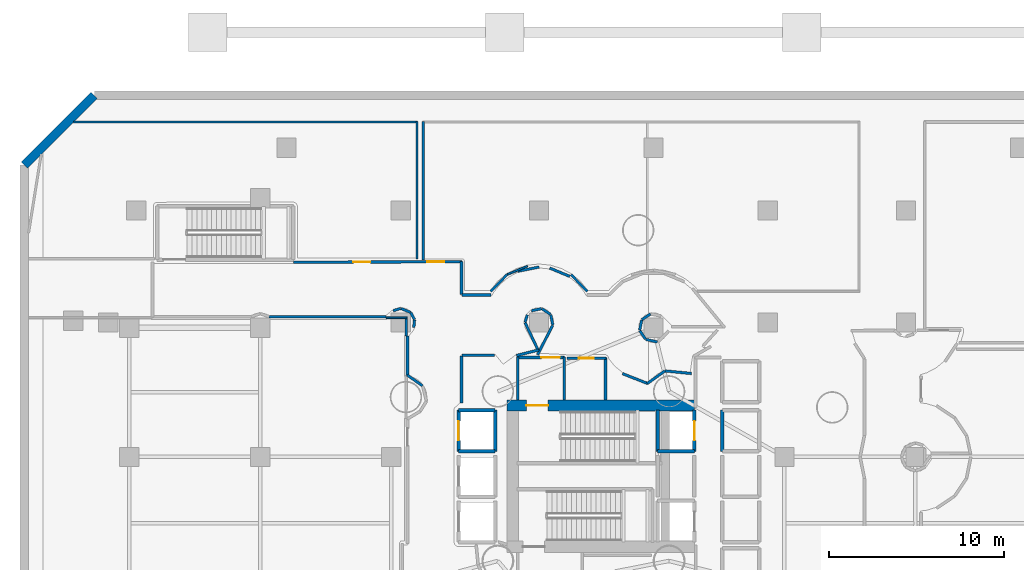
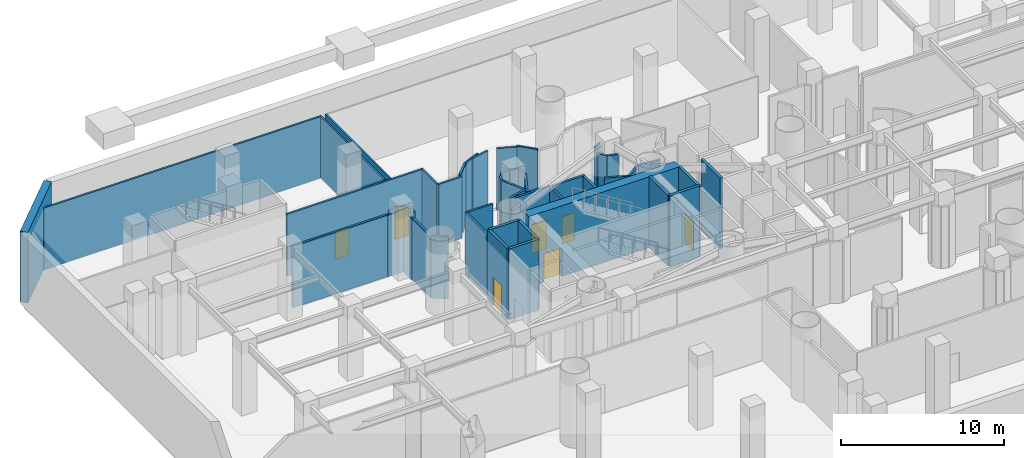
# One storey, part 5 of 11: 51 walls, 7 doors, 7 openings.
"""IFC4 building model written with IfcOpenShell, lengths in metres."""

from ifc_helpers import new_model, si_unit, direction, frame, frame_2d, origin, place, context, subcontext, project, spatial, rectangle, extrude, material, layer, layer_set, type_object, element, fill, save


model = new_model("IFC4")

# Units and contexts
model_context = context("Model", 3, precision=1e-05, world=origin(), true_north=direction((0.0, 1.0)))
body_context = subcontext(model_context, "Body", "Model", "MODEL_VIEW")
ifc_project = project(units=[si_unit("LENGTHUNIT", "METRE"), si_unit("AREAUNIT", "SQUARE_METRE"), si_unit("VOLUMEUNIT", "CUBIC_METRE"), si_unit("PLANEANGLEUNIT", "RADIAN"), si_unit("MASSUNIT", "GRAM", prefix="KILO")], contexts=[model_context])

# Site, building, storey
site_placement = place(None, origin())
site = spatial("IfcSite", under=ifc_project, at=site_placement, CompositionType="ELEMENT")
building_placement = place(site_placement, origin())
building = spatial("IfcBuilding", under=site, at=building_placement, Name="Qianvela Tower", CompositionType="ELEMENT")
storey_placement = place(building_placement, frame((0.0, 0.0, -5.60009765625)))
storey = spatial("IfcBuildingStorey", under=building, at=storey_placement, Name="B01", CompositionType="ELEMENT", Elevation=-5.60009765625)

# Wall, opening, door
ifc_material_1 = material(Name="Concrete C60", Category="concrete")
ifc_layer_1 = layer(ifc_material_1, 0.64990234375)
ifc_layer_set_1 = layer_set([ifc_layer_1], Name="Concrete C60")
wall_type_1 = type_object("IfcWallType", Name="WT-CORE-650", PredefinedType="SHEAR", material=ifc_layer_set_1)
wall_1_placement = place(storey_placement, frame((29.1298828125, 32.7451171875, 0.0), z_axis=(0.0, 0.0, 1.0), x_axis=(1.0, 0.0, 0.0)))
wall_1 = element("IfcWall", 1, at=wall_1_placement, inside=storey, type_object=wall_type_1, Name="B01 North Core Shear Wall", PredefinedType="SHEAR", context=body_context, shape_type="SweptSolid", body=[
    extrude(rectangle(XDim=10.72021484375, YDim=0.64990234375, at=frame_2d((5.360107421875, 0.0))), origin(), (0.0, 0.0, 1.0), 5.300048828125),
])
opening_1_placement = place(wall_1_placement, frame((1.094970703125, 0.0, 0.0)))
opening_1 = element("IfcOpeningElement", 2, at=opening_1_placement, cuts=wall_1, Name="Opening D-ST1", PredefinedType="OPENING", context=body_context, shape_type="SweptSolid", body=[
    extrude(rectangle(XDim=1.25, YDim=2.14990234375, at=frame_2d((0.625, 1.074951171875))), frame((0.0, 0.3349609375, 0.0), z_axis=(0.0, -1.0, 0.0), x_axis=(1.0, 0.0, 0.0)), (0.0, 0.0, 1.0), 0.669921875),
])
ifc_material_2 = material(Name="Galvanised Fire Steel Q355B", Category="steel")
door_type_1 = type_object("IfcDoorType", Name="DT-STAIR-FD90", OperationType="NOTDEFINED", PredefinedType="DOOR", material=ifc_material_2)
door_1_placement = place(opening_1_placement, origin())
door_1 = element("IfcDoor", 3, at=door_1_placement, inside=storey, type_object=door_type_1, Name="B01 Stair ST-1 Exit Door", OperationType="SINGLE_SWING_RIGHT", OverallHeight=2.14990234375, OverallWidth=1.25, PredefinedType="DOOR", context=body_context, shape_type="SweptSolid", body=[
    extrude(rectangle(XDim=1.25, YDim=2.14990234375, at=frame_2d((0.625, 1.074951171875))), frame((0.0, 0.02490234375, 0.0), z_axis=(0.0, -1.0, 0.0), x_axis=(1.0, 0.0, 0.0)), (0.0, 0.0, 1.0), 0.050048828125),
])
fill(opening_1, door_1)

# Wall
ifc_material_3 = material(Name="Fire-Rated Acoustic Gypsum Board")
ifc_layer_2 = layer(ifc_material_3, 0.14990234375)
ifc_layer_set_2 = layer_set([ifc_layer_2], Name="Fire-Rated Acoustic Gypsum Board")
wall_type_2 = type_object("IfcWallType", Name="WT-CORR-150", PredefinedType="PARTITIONING", material=ifc_layer_set_2)
wall_2_placement = place(storey_placement, frame((29.73095703125, 33.05810546875, 0.0), z_axis=(0.0, 0.0, 1.0), x_axis=(0.0, 1.0, 0.0)))
element("IfcWall", 4, at=wall_2_placement, inside=storey, type_object=wall_type_2, Name="B01 Partition 2", PredefinedType="PARTITIONING", context=body_context, shape_type="SweptSolid", body=[
    extrude(rectangle(XDim=2.4619140625, YDim=0.14990234375, at=frame_2d((1.23095703125, 0.0))), origin(), (0.0, 0.0, 1.0), 4.6201171875),
])

# Wall, opening, door
wall_3_placement = place(storey_placement, frame((29.699951171875, 35.489013671875, 0.0), z_axis=(0.0, 0.0, 1.0), x_axis=(1.0, 0.0, 0.0)))
wall_3 = element("IfcWall", 5, at=wall_3_placement, inside=storey, type_object=wall_type_2, Name="B01 Partition 3", PredefinedType="PARTITIONING", context=body_context, shape_type="SweptSolid", body=[
    extrude(rectangle(XDim=2.719970703125, YDim=0.14990234375, at=frame_2d((1.35986328125, 0.0))), origin(), (0.0, 0.0, 1.0), 4.6201171875),
])
opening_2_placement = place(wall_3_placement, frame((1.39501953125, 0.0, 0.0)))
opening_2 = element("IfcOpeningElement", 6, at=opening_2_placement, cuts=wall_3, Name="Opening D-PL1", PredefinedType="OPENING", context=body_context, shape_type="SweptSolid", body=[
    extrude(rectangle(XDim=1.050048828125, YDim=2.14990234375, at=frame_2d((0.52490234375, 1.074951171875))), frame((0.0, 0.0849609375, 0.0), z_axis=(0.0, -1.0, 0.0), x_axis=(1.0, 0.0, 0.0)), (0.0, 0.0, 1.0), 0.169921875),
])
ifc_material_4 = material(Name="Insulated Steel Fire Door Q355B", Category="steel")
door_type_2 = type_object("IfcDoorType", Name="DT-PLANT-FD90", OperationType="NOTDEFINED", PredefinedType="DOOR", material=ifc_material_4)
door_2_placement = place(opening_2_placement, origin())
door_2 = element("IfcDoor", 7, at=door_2_placement, inside=storey, type_object=door_type_2, Name="B01 Door B01 Firefighting Lobby North to B01 Plant and Bicycle Corridor", OperationType="SINGLE_SWING_RIGHT", OverallHeight=2.14990234375, OverallWidth=1.050048828125, PredefinedType="DOOR", context=body_context, shape_type="SweptSolid", body=[
    extrude(rectangle(XDim=1.050048828125, YDim=2.14990234375, at=frame_2d((0.52490234375, 1.074951171875))), frame((0.0, 0.02490234375, 0.0), z_axis=(0.0, -1.0, 0.0), x_axis=(1.0, 0.0, 0.0)), (0.0, 0.0, 1.0), 0.050048828125),
])
fill(opening_2, door_2)

# Wall
wall_4_placement = place(storey_placement, frame((32.388916015625, 35.52001953125, 0.0), z_axis=(0.0, 0.0, 1.0), x_axis=(0.0, -1.0, 0.0)))
element("IfcWall", 8, at=wall_4_placement, inside=storey, type_object=wall_type_2, Name="B01 Partition 4", PredefinedType="PARTITIONING", context=body_context, shape_type="SweptSolid", body=[
    extrude(rectangle(XDim=2.4619140625, YDim=0.14990234375, at=frame_2d((1.23095703125, 0.0))), origin(), (0.0, 0.0, 1.0), 4.6201171875),
])

# Wall, openings, doors
wall_5_placement = place(storey_placement, frame((16.89990234375, 40.947265625, 0.0), z_axis=(0.0, 0.0, 1.0), x_axis=(0.999997465101, 0.002251619764, 0.0)))
wall_5 = element("IfcWall", 9, at=wall_5_placement, inside=storey, type_object=wall_type_2, Name="B01 Partition 37 seg 2", PredefinedType="PARTITIONING", context=body_context, shape_type="SweptSolid", body=[
    extrude(rectangle(XDim=9.650146484375, YDim=0.14990234375, at=frame_2d((4.8251953125, 0.0))), origin(), (0.0, 0.0, 1.0), 4.6201171875),
])
opening_3_placement = place(wall_5_placement, frame((3.4267578125, 0.0, 0.0)))
opening_3 = element("IfcOpeningElement", 10, at=opening_3_placement, cuts=wall_5, Name="Opening D-RM1", PredefinedType="OPENING", context=body_context, shape_type="SweptSolid", body=[
    extrude(rectangle(XDim=0.97998046875, YDim=2.10009765625, at=frame_2d((0.489990234375, 1.050048828125))), frame((0.0, 0.0849609375, 0.0), z_axis=(0.0, -1.0, 0.0), x_axis=(1.0, 0.0, 0.0)), (0.0, 0.0, 1.0), 0.169921875),
])
opening_4_placement = place(wall_5_placement, frame((7.663818359375, 0.0, 0.0)))
opening_4 = element("IfcOpeningElement", 11, at=opening_4_placement, cuts=wall_5, Name="Opening D-RM1", PredefinedType="OPENING", context=body_context, shape_type="SweptSolid", body=[
    extrude(rectangle(XDim=0.97998046875, YDim=2.10009765625, at=frame_2d((0.489990234375, 1.050048828125))), frame((0.0, 0.0849609375, 0.0), z_axis=(0.0, -1.0, 0.0), x_axis=(1.0, 0.0, 0.0)), (0.0, 0.0, 1.0), 0.169921875),
])
ifc_material_5 = material(Name="Solid Core Acoustic Timber Fire Door", Category="wood")
door_type_3 = type_object("IfcDoorType", Name="DT-ROOM-FD60", OperationType="NOTDEFINED", PredefinedType="DOOR", material=ifc_material_5)
door_3_placement = place(opening_3_placement, origin())
door_3 = element("IfcDoor", 12, at=door_3_placement, inside=storey, type_object=door_type_3, Name="B01 Door B01 Student Electric Bicycle Hub North to B01 Plant and Bicycle Corridor", OperationType="SINGLE_SWING_RIGHT", OverallHeight=2.10009765625, OverallWidth=0.97998046875, PredefinedType="DOOR", context=body_context, shape_type="SweptSolid", body=[
    extrude(rectangle(XDim=0.97998046875, YDim=2.10009765625, at=frame_2d((0.489990234375, 1.050048828125))), frame((0.0, 0.02490234375, 0.0), z_axis=(0.0, -1.0, 0.0), x_axis=(1.0, 0.0, 0.0)), (0.0, 0.0, 1.0), 0.050048828125),
])
fill(opening_3, door_3)
door_4_placement = place(opening_4_placement, origin())
door_4 = element("IfcDoor", 13, at=door_4_placement, inside=storey, type_object=door_type_3, Name="B01 Door B01 Central Maintenance Workshop and Spares to B01 Plant and Bicycle Corridor", OperationType="SINGLE_SWING_LEFT", OverallHeight=2.10009765625, OverallWidth=0.97998046875, PredefinedType="DOOR", context=body_context, shape_type="SweptSolid", body=[
    extrude(rectangle(XDim=0.97998046875, YDim=2.10009765625, at=frame_2d((0.489990234375, 1.050048828125))), frame((0.0, 0.02490234375, 0.0), z_axis=(0.0, -1.0, 0.0), x_axis=(1.0, 0.0, 0.0)), (0.0, 0.0, 1.0), 0.050048828125),
])
fill(opening_4, door_4)

# Walls
wall_6_placement = place(storey_placement, frame((26.51904296875, 41.0, 0.0), z_axis=(0.0, 0.0, 1.0), x_axis=(0.0, -1.0, 0.0)))
element("IfcWall", 14, at=wall_6_placement, inside=storey, type_object=wall_type_2, Name="B01 Partition 38", PredefinedType="PARTITIONING", context=body_context, shape_type="SweptSolid", body=[
    extrude(rectangle(XDim=1.89990234375, YDim=0.14990234375, at=frame_2d((0.949951171875, 0.0))), origin(), (0.0, 0.0, 1.0), 4.6201171875),
])
wall_7_placement = place(storey_placement, frame((26.550048828125, 39.069091796875, 0.0), z_axis=(0.0, 0.0, 1.0), x_axis=(1.0, 0.0, 0.0)))
element("IfcWall", 15, at=wall_7_placement, inside=storey, type_object=wall_type_2, Name="B01 Partition 39", PredefinedType="PARTITIONING", context=body_context, shape_type="SweptSolid", body=[
    extrude(rectangle(XDim=1.649658203125, YDim=0.14990234375, at=frame_2d((0.82470703125, 0.0))), origin(), (0.0, 0.0, 1.0), 4.6201171875),
])
for number, where, z_axis, x_axis, name in (
    (16, (29.73681640625, 40.426025390625, 0.0), (0.0, 0.0, 1.0), (0.980775717779, 0.195138390419, 0.0), "B01 Partition 41"),
    (17, (31.56787109375, 40.60986328125, 0.0), (0.0, 0.0, 1.0), (0.923890529664, -0.38265688181, 0.0), "B01 Partition 42"),
):
    element("IfcWall", number, at=place(storey_placement, frame(where, z_axis=z_axis, x_axis=x_axis)), inside=storey, type_object=wall_type_2, Name=name, PredefinedType="PARTITIONING", context=body_context, shape_type="SweptSolid", body=[
        extrude(rectangle(XDim=1.24853515625, YDim=0.14990234375, at=frame_2d((0.624267578125, 0.0))), origin(), (0.0, 0.0, 1.0), 4.6201171875),
    ])
wall_8_placement = place(storey_placement, frame((37.33251953125, 37.98095703125, 0.0), z_axis=(0.0, 0.0, 1.0), x_axis=(-0.831476219755, -0.555560344141, 0.0)))
element("IfcWall", 18, at=wall_8_placement, inside=storey, type_object=wall_type_2, Name="B01 Partition 53", PredefinedType="PARTITIONING", context=body_context, shape_type="SweptSolid", body=[
    extrude(rectangle(XDim=0.58935546875, YDim=0.14990234375, at=frame_2d((0.294677734375, 0.0))), origin(), (0.0, 0.0, 1.0), 4.6201171875),
])
wall_9_placement = place(storey_placement, frame((36.829345703125, 37.6337890625, 0.0), z_axis=(0.0, 0.0, 1.0), x_axis=(-0.195159844715, -0.980771448917, 0.0)))
element("IfcWall", 19, at=wall_9_placement, inside=storey, type_object=wall_type_2, Name="B01 Partition 54", PredefinedType="PARTITIONING", context=body_context, shape_type="SweptSolid", body=[
    extrude(rectangle(XDim=0.589111328125, YDim=0.14990234375, at=frame_2d((0.29443359375, 0.0))), origin(), (0.0, 0.0, 1.0), 4.6201171875),
])
wall_10_placement = place(storey_placement, frame((36.718994140625, 37.03271484375, 0.0), z_axis=(0.0, 0.0, 1.0), x_axis=(0.555369021078, -0.831604022613, 0.0)))
element("IfcWall", 20, at=wall_10_placement, inside=storey, type_object=wall_type_2, Name="B01 Partition 55", PredefinedType="PARTITIONING", context=body_context, shape_type="SweptSolid", body=[
    extrude(rectangle(XDim=0.589599609375, YDim=0.14990234375, at=frame_2d((0.294921875, 0.0))), origin(), (0.0, 0.0, 1.0), 4.6201171875),
])
wall_11_placement = place(storey_placement, frame((37.065185546875, 36.529541015625, 0.0), z_axis=(0.0, 0.0, 1.0), x_axis=(0.974571578147, -0.224076413457, 0.0)))
element("IfcWall", 21, at=wall_11_placement, inside=storey, type_object=wall_type_2, Name="B01 Partition 56", PredefinedType="PARTITIONING", context=body_context, shape_type="SweptSolid", body=[
    extrude(rectangle(XDim=0.68310546875, YDim=0.14990234375, at=frame_2d((0.341552734375, 0.0))), origin(), (0.0, 0.0, 1.0), 4.6201171875),
])
wall_12_placement = place(storey_placement, frame((39.67578125, 34.575439453125, 0.0), z_axis=(0.0, 0.0, 1.0), x_axis=(-0.995186799139, 0.097996095944, 0.0)))
element("IfcWall", 22, at=wall_12_placement, inside=storey, type_object=wall_type_2, Name="B01 Partition 62", PredefinedType="PARTITIONING", context=body_context, shape_type="SweptSolid", body=[
    extrude(rectangle(XDim=1.50732421875, YDim=0.14990234375, at=frame_2d((0.753662109375, 0.0))), origin(), (0.0, 0.0, 1.0), 4.6201171875),
])
wall_13_placement = place(storey_placement, frame((38.15478515625, 34.7177734375, 0.0), z_axis=(0.0, 0.0, 1.0), x_axis=(-0.815749774427, -0.578404966717, 0.0)))
element("IfcWall", 23, at=wall_13_placement, inside=storey, type_object=wall_type_2, Name="B01 Partition 63", PredefinedType="PARTITIONING", context=body_context, shape_type="SweptSolid", body=[
    extrude(rectangle(XDim=1.240478515625, YDim=0.14990234375, at=frame_2d((0.6201171875, 0.0))), origin(), (0.0, 0.0, 1.0), 4.6201171875),
])
wall_14_placement = place(storey_placement, frame((37.172119140625, 34.00390625, 0.0), z_axis=(0.0, 0.0, 1.0), x_axis=(-0.930972145639, 0.36509021357, 0.0)))
element("IfcWall", 24, at=wall_14_placement, inside=storey, type_object=wall_type_2, Name="B01 Partition 64", PredefinedType="PARTITIONING", context=body_context, shape_type="SweptSolid", body=[
    extrude(rectangle(XDim=1.54541015625, YDim=0.14990234375, at=frame_2d((0.772705078125, 0.0))), origin(), (0.0, 0.0, 1.0), 4.6201171875),
])
wall_15_placement = place(storey_placement, frame((30.8681640625, 35.6455078125, 0.0), z_axis=(0.0, 0.0, 1.0), x_axis=(0.457713605207, 0.889099688229, 0.0)))
element("IfcWall", 25, at=wall_15_placement, inside=storey, type_object=wall_type_2, Name="B01 Partition 68", PredefinedType="PARTITIONING", context=body_context, shape_type="SweptSolid", body=[
    extrude(rectangle(XDim=1.901123046875, YDim=0.14990234375, at=frame_2d((0.95068359375, 0.0))), origin(), (0.0, 0.0, 1.0), 4.6201171875),
])
for number, where, z_axis, x_axis, name in (
    (26, (31.740966796875, 37.355712890625, 0.0), (0.0, 0.0, 1.0), (-0.195080566316, 0.980787220882, 0.0), "B01 Partition 69"),
    (27, (31.61279296875, 37.95361328125, 0.0), (0.0, 0.0, 1.0), (-0.831476219755, 0.555560344141, 0.0), "B01 Partition 70"),
    (28, (31.099609375, 38.28564453125, 0.0), (0.0, 0.0, 1.0), (-0.980787220882, -0.195080566316, 0.0), "B01 Partition 71"),
):
    element("IfcWall", number, at=place(storey_placement, frame(where, z_axis=z_axis, x_axis=x_axis)), inside=storey, type_object=wall_type_2, Name=name, PredefinedType="PARTITIONING", context=body_context, shape_type="SweptSolid", body=[
        extrude(rectangle(XDim=0.58935546875, YDim=0.14990234375, at=frame_2d((0.294677734375, 0.0))), origin(), (0.0, 0.0, 1.0), 4.6201171875),
    ])
wall_16_placement = place(storey_placement, frame((30.285400390625, 37.936767578125, 0.0), z_axis=(0.0, 0.0, 1.0), x_axis=(-0.290052876583, -0.957010621041, 0.0)))
element("IfcWall", 29, at=wall_16_placement, inside=storey, type_object=wall_type_2, Name="B01 Partition 72", PredefinedType="PARTITIONING", context=body_context, shape_type="SweptSolid", body=[
    extrude(rectangle(XDim=0.447021484375, YDim=0.14990234375, at=frame_2d((0.2236328125, 0.0))), origin(), (0.0, 0.0, 1.0), 4.6201171875),
])
wall_17_placement = place(storey_placement, frame((30.157470703125, 37.48681640625, 0.0), z_axis=(0.0, 0.0, 1.0), x_axis=(0.427353044203, -0.904084827663, 0.0)))
element("IfcWall", 30, at=wall_17_placement, inside=storey, type_object=wall_type_2, Name="B01 Partition 73", PredefinedType="PARTITIONING", context=body_context, shape_type="SweptSolid", body=[
    extrude(rectangle(XDim=1.77490234375, YDim=0.14990234375, at=frame_2d((0.887451171875, 0.0))), origin(), (0.0, 0.0, 1.0), 4.6201171875),
])
wall_18_placement = place(storey_placement, frame((30.9365234375, 35.925537109375, 0.0), z_axis=(0.0, 0.0, 1.0), x_axis=(-0.969933389944, -0.243370538628, 0.0)))
element("IfcWall", 31, at=wall_18_placement, inside=storey, type_object=wall_type_2, Name="B01 Partition 74", PredefinedType="PARTITIONING", context=body_context, shape_type="SweptSolid", body=[
    extrude(rectangle(XDim=1.30712890625, YDim=0.14990234375, at=frame_2d((0.653564453125, 0.0))), origin(), (0.0, 0.0, 1.0), 4.6201171875),
])
wall_19_placement = place(storey_placement, frame((28.411376953125, 35.611083984375, 0.0), z_axis=(0.0, 0.0, 1.0), x_axis=(-1.0, 0.0, 0.0)))
element("IfcWall", 32, at=wall_19_placement, inside=storey, type_object=wall_type_2, Name="B01 Partition 77", PredefinedType="PARTITIONING", context=body_context, shape_type="SweptSolid", body=[
    extrude(rectangle(XDim=1.861328125, YDim=0.14990234375, at=frame_2d((0.9306640625, 0.0))), origin(), (0.0, 0.0, 1.0), 4.6201171875),
])
wall_20_placement = place(storey_placement, frame((26.51904296875, 35.580078125, 0.0), z_axis=(0.0, 0.0, 1.0), x_axis=(0.0, -1.0, 0.0)))
element("IfcWall", 33, at=wall_20_placement, inside=storey, type_object=wall_type_2, Name="B01 Partition 78", PredefinedType="PARTITIONING", context=body_context, shape_type="SweptSolid", body=[
    extrude(rectangle(XDim=2.682861328125, YDim=0.14990234375, at=frame_2d((1.34130859375, 0.0))), origin(), (0.0, 0.0, 1.0), 4.6201171875),
])
wall_21_placement = place(storey_placement, frame((24.287109375, 33.87548828125, 0.0), z_axis=(0.0, 0.0, 1.0), x_axis=(-0.819199496394, 0.573508661755, 0.0)))
element("IfcWall", 34, at=wall_21_placement, inside=storey, type_object=wall_type_2, Name="B01 Partition 176", PredefinedType="PARTITIONING", context=body_context, shape_type="SweptSolid", body=[
    extrude(rectangle(XDim=1.061279296875, YDim=0.14990234375, at=frame_2d((0.53076171875, 0.0))), origin(), (0.0, 0.0, 1.0), 4.6201171875),
])
wall_22_placement = place(storey_placement, frame((23.430908203125, 34.458740234375, 0.0), z_axis=(0.0, 0.0, 1.0), x_axis=(0.0, 1.0, 0.0)))
element("IfcWall", 35, at=wall_22_placement, inside=storey, type_object=wall_type_2, Name="B01 Partition 177", PredefinedType="PARTITIONING", context=body_context, shape_type="SweptSolid", body=[
    extrude(rectangle(XDim=2.266357421875, YDim=0.14990234375, at=frame_2d((1.13330078125, 0.0))), origin(), (0.0, 0.0, 1.0), 4.6201171875),
])
for number, where, z_axis, x_axis, name in (
    (36, (23.786865234375, 37.202392578125, 0.0), (0.0, 0.0, 1.0), (0.098313930367, 0.995155450719, 0.0), "B01 Partition 178"),
    (37, (23.8271484375, 37.664794921875, 0.0), (0.0, 0.0, 1.0), (-0.471296709458, 0.881974722798, 0.0), "B01 Partition 179"),
):
    element("IfcWall", number, at=place(storey_placement, frame(where, z_axis=z_axis, x_axis=x_axis)), inside=storey, type_object=wall_type_2, Name=name, PredefinedType="PARTITIONING", context=body_context, shape_type="SweptSolid", body=[
        extrude(rectangle(XDim=0.447021484375, YDim=0.14990234375, at=frame_2d((0.2236328125, 0.0))), origin(), (0.0, 0.0, 1.0), 4.6201171875),
    ])
wall_23_placement = place(storey_placement, frame((23.600830078125, 38.072998046875, 0.0), z_axis=(0.0, 0.0, 1.0), x_axis=(-0.923835035561, 0.382790839847, 0.0)))
element("IfcWall", 38, at=wall_23_placement, inside=storey, type_object=wall_type_2, Name="B01 Partition 180", PredefinedType="PARTITIONING", context=body_context, shape_type="SweptSolid", body=[
    extrude(rectangle(XDim=0.58935546875, YDim=0.14990234375, at=frame_2d((0.294677734375, 0.0))), origin(), (0.0, 0.0, 1.0), 4.6201171875),
])
wall_24_placement = place(storey_placement, frame((23.03564453125, 38.2998046875, 0.0), z_axis=(0.0, 0.0, 1.0), x_axis=(-0.956858887343, -0.290553041134, 0.0)))
element("IfcWall", 39, at=wall_24_placement, inside=storey, type_object=wall_type_2, Name="B01 Partition 181", PredefinedType="PARTITIONING", context=body_context, shape_type="SweptSolid", body=[
    extrude(rectangle(XDim=0.447021484375, YDim=0.14990234375, at=frame_2d((0.2236328125, 0.0))), origin(), (0.0, 0.0, 1.0), 4.6201171875),
])
wall_25_placement = place(storey_placement, frame((22.2021484375, 37.8310546875, 0.0), z_axis=(0.0, 0.0, 1.0), x_axis=(-1.0, 0.0, 0.0)))
element("IfcWall", 40, at=wall_25_placement, inside=storey, type_object=wall_type_2, Name="B01 Partition 182", PredefinedType="PARTITIONING", context=body_context, shape_type="SweptSolid", body=[
    extrude(rectangle(XDim=6.698974609375, YDim=0.14990234375, at=frame_2d((3.349609375, 0.0))), origin(), (0.0, 0.0, 1.0), 4.6201171875),
])
ifc_material_6 = material(Name="Lightweight Gypsum Room Partition")
ifc_layer_3 = layer(ifc_material_6, 0.10498046875)
ifc_layer_set_3 = layer_set([ifc_layer_3], Name="Lightweight Gypsum Room Partition")
wall_type_3 = type_object("IfcWallType", Name="WT-PART-105", PredefinedType="PARTITIONING", material=ifc_layer_set_3)
wall_26_placement = place(storey_placement, frame((22.2021484375, 37.76904296875, 0.0), z_axis=(0.0, 0.0, 1.0), x_axis=(1.0, 0.0, 0.0)))
element("IfcWall", 41, at=wall_26_placement, inside=storey, type_object=wall_type_3, Name="B01 Partition 206 seg 3", PredefinedType="PARTITIONING", context=body_context, shape_type="SweptSolid", body=[
    extrude(rectangle(XDim=1.19775390625, YDim=0.10498046875, at=frame_2d((0.598876953125, 0.0))), origin(), (0.0, 0.0, 1.0), 4.6201171875),
])
wall_27_placement = place(storey_placement, frame((30.30126953125, 40.7265625, 0.0), z_axis=(0.0, 0.0, 1.0), x_axis=(-0.923825639064, -0.382813516753, 0.0)))
element("IfcWall", 42, at=wall_27_placement, inside=storey, type_object=wall_type_3, Name="B01 Partition 278", PredefinedType="PARTITIONING", context=body_context, shape_type="SweptSolid", body=[
    extrude(rectangle(XDim=1.2607421875, YDim=0.10498046875, at=frame_2d((0.63037109375, 0.0))), origin(), (0.0, 0.0, 1.0), 4.6201171875),
])
ifc_material_7 = material(Name="Insulated Gypsum Stud Partition")
ifc_layer_4 = layer(ifc_material_7, 0.1201171875)
ifc_layer_set_4 = layer_set([ifc_layer_4], Name="Insulated Gypsum Stud Partition")
wall_type_4 = type_object("IfcWallType", Name="WT-PART-120", PredefinedType="PARTITIONING", material=ifc_layer_set_4)
wall_28_placement = place(storey_placement, frame((23.968994140625, 49.0, 0.0), z_axis=(0.0, 0.0, 1.0), x_axis=(0.0, -1.0, 0.0)))
element("IfcWall", 43, at=wall_28_placement, inside=storey, type_object=wall_type_4, Name="B01 Partition 193", PredefinedType="PARTITIONING", context=body_context, shape_type="SweptSolid", body=[
    extrude(rectangle(XDim=7.8798828125, YDim=0.1201171875, at=frame_2d((3.93994140625, 0.0))), origin(), (0.0, 0.0, 1.0), 4.6201171875),
])
wall_29_placement = place(storey_placement, frame((24.3310546875, 41.06201171875, 0.0), z_axis=(0.0, 0.0, 1.0), x_axis=(0.0, 1.0, 0.0)))
element("IfcWall", 44, at=wall_29_placement, inside=storey, type_object=wall_type_4, Name="B01 Partition 283", PredefinedType="PARTITIONING", context=body_context, shape_type="SweptSolid", body=[
    extrude(rectangle(XDim=7.93798828125, YDim=0.1201171875, at=frame_2d((3.968994140625, 0.0))), origin(), (0.0, 0.0, 1.0), 4.6201171875),
])

# Wall, opening, door
ifc_material_8 = material(Name="Sanitary Service Chase Partition")
ifc_layer_5 = layer(ifc_material_8, 0.1650390625)
ifc_layer_set_5 = layer_set([ifc_layer_5], Name="Sanitary Service Chase Partition")
wall_type_5 = type_object("IfcWallType", Name="WT-PLUMB-165", PredefinedType="PLUMBINGWALL", material=ifc_layer_set_5)
wall_30_placement = place(storey_placement, frame((32.550048828125, 35.448974609375, 0.0), z_axis=(0.0, 0.0, 1.0), x_axis=(1.0, 0.0, 0.0)))
wall_30 = element("IfcWall", 45, at=wall_30_placement, inside=storey, type_object=wall_type_5, Name="B01 Partition 22", PredefinedType="PLUMBINGWALL", context=body_context, shape_type="SweptSolid", body=[
    extrude(rectangle(XDim=2.22998046875, YDim=0.1650390625, at=frame_2d((1.114990234375, 0.0))), origin(), (0.0, 0.0, 1.0), 4.6201171875),
])
opening_5_placement = place(wall_30_placement, frame((0.68505859375, 0.0, 0.0)))
opening_5 = element("IfcOpeningElement", 46, at=opening_5_placement, cuts=wall_30, Name="Opening D-WC1", PredefinedType="OPENING", context=body_context, shape_type="SweptSolid", body=[
    extrude(rectangle(XDim=0.860107421875, YDim=2.050048828125, at=frame_2d((0.43017578125, 1.02490234375))), frame((0.0, 0.092529296875, 0.0), z_axis=(0.0, -1.0, 0.0), x_axis=(1.0, 0.0, 0.0)), (0.0, 0.0, 1.0), 0.18505859375),
])
ifc_material_9 = material(Name="Moisture-Sealed Acoustic Timber Door", Category="wood")
door_type_4 = type_object("IfcDoorType", Name="DT-WC-860", OperationType="NOTDEFINED", PredefinedType="DOOR", material=ifc_material_9)
door_5_placement = place(opening_5_placement, origin())
door_5 = element("IfcDoor", 47, at=door_5_placement, inside=storey, type_object=door_type_4, Name="B01 Door B01 Accessible WC to B01 Plant and Bicycle Corridor", OperationType="SINGLE_SWING_LEFT", OverallHeight=2.050048828125, OverallWidth=0.860107421875, PredefinedType="DOOR", context=body_context, shape_type="SweptSolid", body=[
    extrude(rectangle(XDim=0.860107421875, YDim=2.050048828125, at=frame_2d((0.43017578125, 1.02490234375))), frame((0.0, 0.02490234375, 0.0), z_axis=(0.0, -1.0, 0.0), x_axis=(1.0, 0.0, 0.0)), (0.0, 0.0, 1.0), 0.050048828125),
])
fill(opening_5, door_5)

# Walls
wall_31_placement = place(storey_placement, frame((34.7490234375, 35.47998046875, 0.0), z_axis=(0.0, 0.0, 1.0), x_axis=(0.0, -1.0, 0.0)))
element("IfcWall", 48, at=wall_31_placement, inside=storey, type_object=wall_type_5, Name="B01 Partition 23", PredefinedType="PLUMBINGWALL", context=body_context, shape_type="SweptSolid", body=[
    extrude(rectangle(XDim=2.421875, YDim=0.1650390625, at=frame_2d((1.2109375, 0.0))), origin(), (0.0, 0.0, 1.0), 4.6201171875),
])
ifc_material_10 = material(Name="Waterproof Concrete C50", Category="concrete")
ifc_layer_6 = layer(ifc_material_10, 0.5)
ifc_layer_set_6 = layer_set([ifc_layer_6], Name="Waterproof Concrete C50")
wall_type_6 = type_object("IfcWallType", Name="WT-RET-500", PredefinedType="SOLIDWALL", material=ifc_layer_set_6)
wall_32_placement = place(storey_placement, frame((5.5, 50.5, 0.0), z_axis=(0.0, 0.0, 1.0), x_axis=(-0.707106781187, -0.707106781187, 0.0)))
element("IfcWall", 49, at=wall_32_placement, inside=storey, type_object=wall_type_6, Name="B01 Perimeter Diaphragm Retaining Wall 6", PredefinedType="SOLIDWALL", context=body_context, shape_type="SweptSolid", body=[
    extrude(rectangle(XDim=5.65673828125, YDim=0.5, at=frame_2d((2.828369140625, 0.0))), origin(), (0.0, 0.0, 1.0), 5.300048828125),
])
ifc_material_11 = material(Name="Acoustic Double Gypsum Stud Partition")
ifc_layer_7 = layer(ifc_material_11, 0.139892578125)
ifc_layer_set_7 = layer_set([ifc_layer_7], Name="Acoustic Double Gypsum Stud Partition")
wall_type_7 = type_object("IfcWallType", Name="WT-ROOM-140", PredefinedType="PARTITIONING", material=ifc_layer_set_7)
wall_33_placement = place(storey_placement, frame((4.3056640625, 48.968994140625, 0.0), z_axis=(0.0, 0.0, 1.0), x_axis=(1.0, 0.0, 0.0)))
element("IfcWall", 50, at=wall_33_placement, inside=storey, type_object=wall_type_7, Name="B01 Partition 192", PredefinedType="PARTITIONING", context=body_context, shape_type="SweptSolid", body=[
    extrude(rectangle(XDim=19.6943359375, YDim=0.139892578125, at=frame_2d((9.84716796875, 0.0))), origin(), (0.0, 0.0, 1.0), 4.6201171875),
])
wall_34_placement = place(storey_placement, frame((23.368896484375, 37.800048828125, 0.0), z_axis=(0.0, 0.0, 1.0), x_axis=(-0.004769421111, -0.999988626246, 0.0)))
element("IfcWall", 51, at=wall_34_placement, inside=storey, type_object=wall_type_7, Name="B01 Partition 195 seg 1", PredefinedType="PARTITIONING", context=body_context, shape_type="SweptSolid", body=[
    extrude(rectangle(XDim=1.074951171875, YDim=0.139892578125, at=frame_2d((0.53759765625, 0.0))), origin(), (0.0, 0.0, 1.0), 4.6201171875),
])
wall_35_placement = place(storey_placement, frame((33.723388671875, 39.271484375, 0.0), z_axis=(0.0, 0.0, 1.0), x_axis=(-0.697065448929, 0.717007503385, 0.0)))
element("IfcWall", 52, at=wall_35_placement, inside=storey, type_object=wall_type_7, Name="B01 Partition 276", PredefinedType="PARTITIONING", context=body_context, shape_type="SweptSolid", body=[
    extrude(rectangle(XDim=1.3466796875, YDim=0.139892578125, at=frame_2d((0.67333984375, 0.0))), origin(), (0.0, 0.0, 1.0), 4.6201171875),
])
wall_36_placement = place(storey_placement, frame((29.126220703125, 40.237060546875, 0.0), z_axis=(0.0, 0.0, 1.0), x_axis=(-0.697158633131, -0.716916899125, 0.0)))
element("IfcWall", 53, at=wall_36_placement, inside=storey, type_object=wall_type_7, Name="B01 Partition 279", PredefinedType="PARTITIONING", context=body_context, shape_type="SweptSolid", body=[
    extrude(rectangle(XDim=1.346923828125, YDim=0.139892578125, at=frame_2d((0.67333984375, 0.0))), origin(), (0.0, 0.0, 1.0), 4.6201171875),
])

# Wall, opening, door
ifc_material_12 = material(Name="Concrete C50", Category="concrete")
ifc_layer_8 = layer(ifc_material_12, 0.199951171875)
ifc_layer_set_8 = layer_set([ifc_layer_8], Name="Concrete C50")
wall_type_8 = type_object("IfcWallType", Name="WT-SHAFT-200", PredefinedType="SOLIDWALL", material=ifc_layer_set_8)
wall_37_placement = place(storey_placement, frame((39.85009765625, 30.1201171875, 0.0), z_axis=(0.0, 0.0, 1.0), x_axis=(0.0, 1.0, 0.0)))
wall_37 = element("IfcWall", 54, at=wall_37_placement, inside=storey, type_object=wall_type_8, Name="B01 Lift FL-1 E Shaft Wall", PredefinedType="SOLIDWALL", context=body_context, shape_type="SweptSolid", body=[
    extrude(rectangle(XDim=2.35986328125, YDim=0.199951171875, at=frame_2d((1.179931640625, 0.0))), origin(), (0.0, 0.0, 1.0), 5.300048828125),
])
opening_6_placement = place(wall_37_placement, frame((0.6298828125, 0.0, 0.0)))
opening_6 = element("IfcOpeningElement", 55, at=opening_6_placement, cuts=wall_37, Name="Opening LD-01", PredefinedType="OPENING", context=body_context, shape_type="SweptSolid", body=[
    extrude(rectangle(XDim=1.10009765625, YDim=2.14990234375, at=frame_2d((0.550048828125, 1.074951171875))), frame((0.0, 0.10986328125, 0.0), z_axis=(0.0, -1.0, 0.0), x_axis=(1.0, 0.0, 0.0)), (0.0, 0.0, 1.0), 0.219970703125),
])
ifc_material_13 = material(Name="Brushed Stainless Steel Lift Landing Door", Category="steel")
door_type_5 = type_object("IfcDoorType", Name="DT-LIFT-SLIDE-1100", OperationType="SLIDING_TO_LEFT", PredefinedType="DOOR", material=ifc_material_13)
door_6_placement = place(opening_6_placement, origin())
door_6 = element("IfcDoor", 56, at=door_6_placement, inside=storey, type_object=door_type_5, Name="B01 Lift FL-1 Sliding Landing Door", OperationType="SLIDING_TO_LEFT", OverallHeight=2.14990234375, OverallWidth=1.10009765625, PredefinedType="DOOR", context=body_context, shape_type="SweptSolid", body=[
    extrude(rectangle(XDim=1.10009765625, YDim=2.14990234375, at=frame_2d((0.550048828125, 1.074951171875))), frame((0.0, 0.02490234375, 0.0), z_axis=(0.0, -1.0, 0.0), x_axis=(1.0, 0.0, 0.0)), (0.0, 0.0, 1.0), 0.050048828125),
])
fill(opening_6, door_6)

# Walls
wall_38_placement = place(storey_placement, frame((37.75, 30.1201171875, 0.0), z_axis=(0.0, 0.0, 1.0), x_axis=(0.0, 1.0, 0.0)))
element("IfcWall", 57, at=wall_38_placement, inside=storey, type_object=wall_type_8, Name="B01 Lift FL-1 W Shaft Wall", PredefinedType="SOLIDWALL", context=body_context, shape_type="SweptSolid", body=[
    extrude(rectangle(XDim=2.35986328125, YDim=0.199951171875, at=frame_2d((1.179931640625, 0.0))), origin(), (0.0, 0.0, 1.0), 5.300048828125),
])
wall_39_placement = place(storey_placement, frame((37.75, 30.1201171875, 0.0), z_axis=(0.0, 0.0, 1.0), x_axis=(1.0, 0.0, 0.0)))
element("IfcWall", 58, at=wall_39_placement, inside=storey, type_object=wall_type_8, Name="B01 Lift FL-1 S Shaft Wall", PredefinedType="SOLIDWALL", context=body_context, shape_type="SweptSolid", body=[
    extrude(rectangle(XDim=2.10009765625, YDim=0.199951171875, at=frame_2d((1.050048828125, 0.0))), origin(), (0.0, 0.0, 1.0), 5.300048828125),
])
wall_40_placement = place(storey_placement, frame((28.449951171875, 30.1201171875, 0.0), z_axis=(0.0, 0.0, 1.0), x_axis=(0.0, 1.0, 0.0)))
element("IfcWall", 59, at=wall_40_placement, inside=storey, type_object=wall_type_8, Name="B01 Lift PL-L1 E Shaft Wall", PredefinedType="SOLIDWALL", context=body_context, shape_type="SweptSolid", body=[
    extrude(rectangle(XDim=2.35986328125, YDim=0.199951171875, at=frame_2d((1.179931640625, 0.0))), origin(), (0.0, 0.0, 1.0), 5.300048828125),
])

# Wall, opening, door
wall_41_placement = place(storey_placement, frame((26.35009765625, 30.1201171875, 0.0), z_axis=(0.0, 0.0, 1.0), x_axis=(0.0, 1.0, 0.0)))
wall_41 = element("IfcWall", 60, at=wall_41_placement, inside=storey, type_object=wall_type_8, Name="B01 Lift PL-L1 W Shaft Wall", PredefinedType="SOLIDWALL", context=body_context, shape_type="SweptSolid", body=[
    extrude(rectangle(XDim=2.35986328125, YDim=0.199951171875, at=frame_2d((1.179931640625, 0.0))), origin(), (0.0, 0.0, 1.0), 5.300048828125),
])
opening_7_placement = place(wall_41_placement, frame((0.6298828125, 0.0, 0.0)))
opening_7 = element("IfcOpeningElement", 61, at=opening_7_placement, cuts=wall_41, Name="Opening LD-01", PredefinedType="OPENING", context=body_context, shape_type="SweptSolid", body=[
    extrude(rectangle(XDim=1.10009765625, YDim=2.14990234375, at=frame_2d((0.550048828125, 1.074951171875))), frame((0.0, 0.10986328125, 0.0), z_axis=(0.0, -1.0, 0.0), x_axis=(1.0, 0.0, 0.0)), (0.0, 0.0, 1.0), 0.219970703125),
])
door_7_placement = place(opening_7_placement, origin())
door_7 = element("IfcDoor", 62, at=door_7_placement, inside=storey, type_object=door_type_5, Name="B01 Lift PL-L1 Sliding Landing Door", OperationType="SLIDING_TO_LEFT", OverallHeight=2.14990234375, OverallWidth=1.10009765625, PredefinedType="DOOR", context=body_context, shape_type="SweptSolid", body=[
    extrude(rectangle(XDim=1.10009765625, YDim=2.14990234375, at=frame_2d((0.550048828125, 1.074951171875))), frame((0.0, 0.02490234375, 0.0), z_axis=(0.0, -1.0, 0.0), x_axis=(1.0, 0.0, 0.0)), (0.0, 0.0, 1.0), 0.050048828125),
])
fill(opening_7, door_7)

# Walls
for number, where, z_axis, x_axis, name in (
    (63, (26.35009765625, 32.47998046875, 0.0), (0.0, 0.0, 1.0), (1.0, 0.0, 0.0), "B01 Lift PL-L1 N Shaft Wall"),
    (64, (26.35009765625, 30.1201171875, 0.0), (0.0, 0.0, 1.0), (1.0, 0.0, 0.0), "B01 Lift PL-L1 S Shaft Wall"),
):
    element("IfcWall", number, at=place(storey_placement, frame(where, z_axis=z_axis, x_axis=x_axis)), inside=storey, type_object=wall_type_8, Name=name, PredefinedType="SOLIDWALL", context=body_context, shape_type="SweptSolid", body=[
        extrude(rectangle(XDim=2.099853515625, YDim=0.199951171875, at=frame_2d((1.0498046875, 0.0))), origin(), (0.0, 0.0, 1.0), 5.300048828125),
    ])
wall_42_placement = place(storey_placement, frame((41.449951171875, 30.1201171875, 0.0), z_axis=(0.0, 0.0, 1.0), x_axis=(0.0, 1.0, 0.0)))
element("IfcWall", 65, at=wall_42_placement, inside=storey, type_object=wall_type_8, Name="B01 Lift PL-M1 W Shaft Wall", PredefinedType="SOLIDWALL", context=body_context, shape_type="SweptSolid", body=[
    extrude(rectangle(XDim=2.35986328125, YDim=0.199951171875, at=frame_2d((1.179931640625, 0.0))), origin(), (0.0, 0.0, 1.0), 5.300048828125),
])

save(model, "model.ifc")
